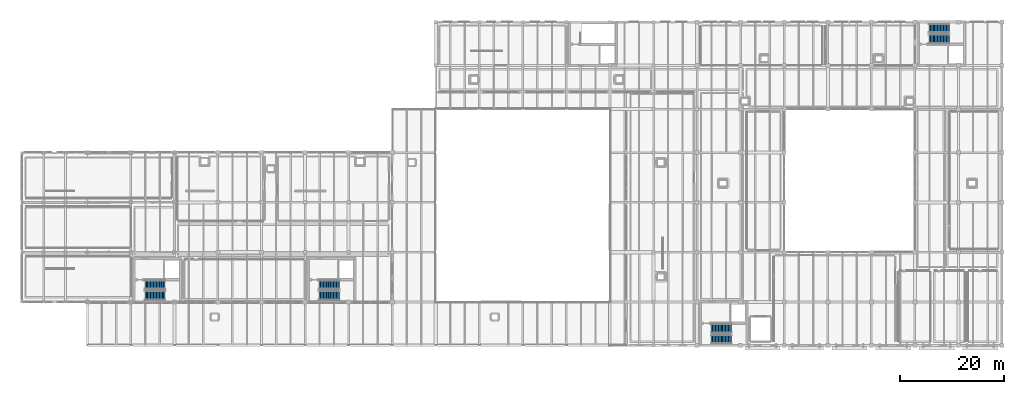
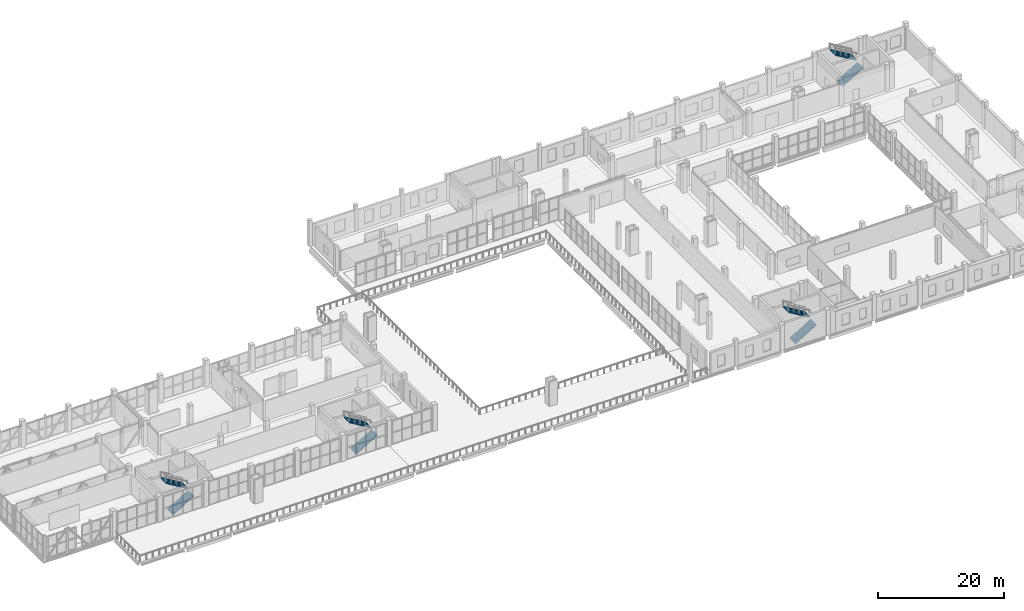
# One storey, part 66 of 77: 8 stair flights, 4 elements without a shape of their own.
"""IFC4 building model written with IfcOpenShell, lengths in metres."""

from ifc_helpers import new_model, si_unit, direction, frame, origin, place, context, subcontext, project, spatial, polyline, outline, extrude, material, type_object, element, aggregate, save


model = new_model("IFC4")

# Units and contexts
model_context = context("Model", 3, precision=1e-05, world=origin(), true_north=direction((0.0, 1.0)))
body_context = subcontext(model_context, "Body", "Model", "MODEL_VIEW")
ifc_project = project(units=[si_unit("LENGTHUNIT", "METRE"), si_unit("AREAUNIT", "SQUARE_METRE"), si_unit("VOLUMEUNIT", "CUBIC_METRE"), si_unit("PLANEANGLEUNIT", "RADIAN"), si_unit("MASSUNIT", "GRAM", prefix="KILO")], contexts=[model_context])

# Site, building, storey
site_placement = place(None, origin())
site = spatial("IfcSite", under=ifc_project, at=site_placement, CompositionType="ELEMENT")
building_placement = place(site_placement, origin())
building = spatial("IfcBuilding", under=site, at=building_placement, Name="Zulmaris Art Gallery", CompositionType="ELEMENT")
storey_placement = place(building_placement, frame((0.0, 0.0, 15.60009765625)))
storey = spatial("IfcBuildingStorey", under=building, at=storey_placement, Name="L03", CompositionType="ELEMENT", Elevation=15.60009765625)

# Stair, stair flights
ifc_material = material(Name="Concrete C40/50", Category="concrete")
stair_type = type_object("IfcStairType", Name="STAIR-CORE", PredefinedType="HALF_TURN_STAIR", material=ifc_material)
stair_1_placement = place(storey_placement, origin())
stair_1 = element("IfcStair", 1, at=stair_1_placement, inside=storey, type_object=stair_type, Name="L03 Exit Stair ST1", PredefinedType="HALF_TURN_STAIR")
stair_flight_type = type_object("IfcStairFlightType", Name="STFLT-CORE", PredefinedType="STRAIGHT", material=ifc_material)
stair_flight_1_placement = place(storey_placement, frame((35.10009765625, 22.824951171875, 0.0), z_axis=(0.0, 0.0, 1.0), x_axis=(1.0, 0.0, 0.0)))
stair_flight_1 = element("IfcStairFlight", 2, at=stair_flight_1_placement, type_object=stair_flight_type, Name="ST1 flight 1", NumberOfRisers=15, NumberOfTreads=14, PredefinedType="STRAIGHT", RiserHeight=0.17, TreadLength=0.28, context=body_context, shape_type="SweptSolid", body=[
    extrude(outline(polyline([(0.0, 0.0), (0.0, 0.169921875), (0.280029296875, 0.169921875), (0.280029296875, 0.340087890625), (0.56005859375, 0.340087890625), (0.56005859375, 0.510009765625), (0.840087890625, 0.510009765625), (0.840087890625, 0.679931640625), (1.1201171875, 0.679931640625), (1.1201171875, 0.85009765625), (1.39990234375, 0.85009765625), (1.39990234375, 1.02001953125), (1.679931640625, 1.02001953125), (1.679931640625, 1.18994140625), (1.9599609375, 1.18994140625), (1.9599609375, 1.360107421875), (2.239990234375, 1.360107421875), (2.239990234375, 1.530029296875), (2.52001953125, 1.530029296875), (2.52001953125, 1.699951171875), (2.800048828125, 1.699951171875), (2.800048828125, 1.8701171875), (3.080078125, 1.8701171875), (3.080078125, 2.0400390625), (3.360107421875, 2.0400390625), (3.360107421875, 2.2099609375), (3.639892578125, 2.2099609375), (3.639892578125, 2.3798828125), (3.919921875, 2.3798828125), (3.919921875, 2.550048828125), (3.919921875, 2.20458984375), (0.288818359375, 0.0), (0.0, 0.0)])), frame((0.0, 0.875, 0.0), z_axis=(0.0, -1.0, 0.0), x_axis=(1.0, 0.0, 0.0)), (0.0, 0.0, 1.0), 1.75),
])
stair_flight_2_placement = place(storey_placement, frame((39.02001953125, 24.9150390625, 2.5498046875), z_axis=(0.0, 0.0, 1.0), x_axis=(-1.0, 0.0, 0.0)))
stair_flight_2 = element("IfcStairFlight", 3, at=stair_flight_2_placement, type_object=stair_flight_type, Name="ST1 flight 2", NumberOfRisers=15, NumberOfTreads=14, PredefinedType="STRAIGHT", RiserHeight=0.17, TreadLength=0.28, context=body_context, shape_type="SweptSolid", body=[
    extrude(outline(polyline([(0.0, 0.0), (0.0, 0.169921875), (0.280029296875, 0.169921875), (0.280029296875, 0.340087890625), (0.56005859375, 0.340087890625), (0.56005859375, 0.510009765625), (0.840087890625, 0.510009765625), (0.840087890625, 0.679931640625), (1.1201171875, 0.679931640625), (1.1201171875, 0.85009765625), (1.39990234375, 0.85009765625), (1.39990234375, 1.02001953125), (1.679931640625, 1.02001953125), (1.679931640625, 1.18994140625), (1.9599609375, 1.18994140625), (1.9599609375, 1.360107421875), (2.239990234375, 1.360107421875), (2.239990234375, 1.530029296875), (2.52001953125, 1.530029296875), (2.52001953125, 1.699951171875), (2.800048828125, 1.699951171875), (2.800048828125, 1.8701171875), (3.080078125, 1.8701171875), (3.080078125, 2.0400390625), (3.360107421875, 2.0400390625), (3.360107421875, 2.2099609375), (3.639892578125, 2.2099609375), (3.639892578125, 2.3798828125), (3.919921875, 2.3798828125), (3.919921875, 2.550048828125), (3.919921875, 2.20458984375), (0.288818359375, 0.0), (0.0, 0.0)])), frame((0.0, 0.875, 0.0), z_axis=(0.0, -1.0, 0.0), x_axis=(1.0, 0.0, 0.0)), (0.0, 0.0, 1.0), 1.75),
])
aggregate(stair_1, [stair_flight_1, stair_flight_2])

stair_2_placement = place(storey_placement, origin())
stair_2 = element("IfcStair", 4, at=stair_2_placement, inside=storey, type_object=stair_type, Name="L03 Exit Stair ST2", PredefinedType="HALF_TURN_STAIR")
stair_flight_3_placement = place(storey_placement, frame((68.699951171875, 22.824951171875, 0.0), z_axis=(0.0, 0.0, 1.0), x_axis=(1.0, 0.0, 0.0)))
stair_flight_3 = element("IfcStairFlight", 5, at=stair_flight_3_placement, type_object=stair_flight_type, Name="ST2 flight 1", NumberOfRisers=15, NumberOfTreads=14, PredefinedType="STRAIGHT", RiserHeight=0.17, TreadLength=0.28, context=body_context, shape_type="SweptSolid", body=[
    extrude(outline(polyline([(0.0, 0.0), (0.0, 0.169921875), (0.280029296875, 0.169921875), (0.280029296875, 0.340087890625), (0.56005859375, 0.340087890625), (0.56005859375, 0.510009765625), (0.840087890625, 0.510009765625), (0.840087890625, 0.679931640625), (1.1201171875, 0.679931640625), (1.1201171875, 0.85009765625), (1.39990234375, 0.85009765625), (1.39990234375, 1.02001953125), (1.679931640625, 1.02001953125), (1.679931640625, 1.18994140625), (1.9599609375, 1.18994140625), (1.9599609375, 1.360107421875), (2.239990234375, 1.360107421875), (2.239990234375, 1.530029296875), (2.52001953125, 1.530029296875), (2.52001953125, 1.699951171875), (2.800048828125, 1.699951171875), (2.800048828125, 1.8701171875), (3.080078125, 1.8701171875), (3.080078125, 2.0400390625), (3.360107421875, 2.0400390625), (3.360107421875, 2.2099609375), (3.639892578125, 2.2099609375), (3.639892578125, 2.3798828125), (3.919921875, 2.3798828125), (3.919921875, 2.550048828125), (3.919921875, 2.20458984375), (0.288818359375, 0.0), (0.0, 0.0)])), frame((0.0, 0.875, 0.0), z_axis=(0.0, -1.0, 0.0), x_axis=(1.0, 0.0, 0.0)), (0.0, 0.0, 1.0), 1.75),
])
stair_flight_4_placement = place(storey_placement, frame((72.6201171875, 24.9150390625, 2.5498046875), z_axis=(0.0, 0.0, 1.0), x_axis=(-1.0, 0.0, 0.0)))
stair_flight_4 = element("IfcStairFlight", 6, at=stair_flight_4_placement, type_object=stair_flight_type, Name="ST2 flight 2", NumberOfRisers=15, NumberOfTreads=14, PredefinedType="STRAIGHT", RiserHeight=0.17, TreadLength=0.28, context=body_context, shape_type="SweptSolid", body=[
    extrude(outline(polyline([(0.0, 0.0), (0.0, 0.169921875), (0.280029296875, 0.169921875), (0.280029296875, 0.340087890625), (0.56005859375, 0.340087890625), (0.56005859375, 0.510009765625), (0.840087890625, 0.510009765625), (0.840087890625, 0.679931640625), (1.1201171875, 0.679931640625), (1.1201171875, 0.85009765625), (1.39990234375, 0.85009765625), (1.39990234375, 1.02001953125), (1.679931640625, 1.02001953125), (1.679931640625, 1.18994140625), (1.9599609375, 1.18994140625), (1.9599609375, 1.360107421875), (2.239990234375, 1.360107421875), (2.239990234375, 1.530029296875), (2.52001953125, 1.530029296875), (2.52001953125, 1.699951171875), (2.800048828125, 1.699951171875), (2.800048828125, 1.8701171875), (3.080078125, 1.8701171875), (3.080078125, 2.0400390625), (3.360107421875, 2.0400390625), (3.360107421875, 2.2099609375), (3.639892578125, 2.2099609375), (3.639892578125, 2.3798828125), (3.919921875, 2.3798828125), (3.919921875, 2.550048828125), (3.919921875, 2.20458984375), (0.288818359375, 0.0), (0.0, 0.0)])), frame((0.0, 0.875, 0.0), z_axis=(0.0, -1.0, 0.0), x_axis=(1.0, 0.0, 0.0)), (0.0, 0.0, 1.0), 1.75),
])
aggregate(stair_2, [stair_flight_3, stair_flight_4])

stair_3_placement = place(storey_placement, origin())
stair_3 = element("IfcStair", 7, at=stair_3_placement, inside=storey, type_object=stair_type, Name="L03 Exit Stair ST3", PredefinedType="HALF_TURN_STAIR")
stair_flight_5_placement = place(storey_placement, frame((144.300048828125, 14.425048828125, 0.0), z_axis=(0.0, 0.0, 1.0), x_axis=(1.0, 0.0, 0.0)))
stair_flight_5 = element("IfcStairFlight", 8, at=stair_flight_5_placement, type_object=stair_flight_type, Name="ST3 flight 1", NumberOfRisers=15, NumberOfTreads=14, PredefinedType="STRAIGHT", RiserHeight=0.17, TreadLength=0.28, context=body_context, shape_type="SweptSolid", body=[
    extrude(outline(polyline([(0.0, 0.0), (0.0, 0.169921875), (0.280029296875, 0.169921875), (0.280029296875, 0.340087890625), (0.56005859375, 0.340087890625), (0.56005859375, 0.510009765625), (0.840087890625, 0.510009765625), (0.840087890625, 0.679931640625), (1.1201171875, 0.679931640625), (1.1201171875, 0.85009765625), (1.39990234375, 0.85009765625), (1.39990234375, 1.02001953125), (1.679931640625, 1.02001953125), (1.679931640625, 1.18994140625), (1.9599609375, 1.18994140625), (1.9599609375, 1.360107421875), (2.239990234375, 1.360107421875), (2.239990234375, 1.530029296875), (2.52001953125, 1.530029296875), (2.52001953125, 1.699951171875), (2.800048828125, 1.699951171875), (2.800048828125, 1.8701171875), (3.080078125, 1.8701171875), (3.080078125, 2.0400390625), (3.360107421875, 2.0400390625), (3.360107421875, 2.2099609375), (3.639892578125, 2.2099609375), (3.639892578125, 2.3798828125), (3.919921875, 2.3798828125), (3.919921875, 2.550048828125), (3.919921875, 2.20458984375), (0.288818359375, 0.0), (0.0, 0.0)])), frame((0.0, 0.875, 0.0), z_axis=(0.0, -1.0, 0.0), x_axis=(1.0, 0.0, 0.0)), (0.0, 0.0, 1.0), 1.75),
])
stair_flight_6_placement = place(storey_placement, frame((148.219970703125, 16.514892578125, 2.5498046875), z_axis=(0.0, 0.0, 1.0), x_axis=(-1.0, 0.0, 0.0)))
stair_flight_6 = element("IfcStairFlight", 9, at=stair_flight_6_placement, type_object=stair_flight_type, Name="ST3 flight 2", NumberOfRisers=15, NumberOfTreads=14, PredefinedType="STRAIGHT", RiserHeight=0.17, TreadLength=0.28, context=body_context, shape_type="SweptSolid", body=[
    extrude(outline(polyline([(0.0, 0.0), (0.0, 0.169921875), (0.280029296875, 0.169921875), (0.280029296875, 0.340087890625), (0.56005859375, 0.340087890625), (0.56005859375, 0.510009765625), (0.840087890625, 0.510009765625), (0.840087890625, 0.679931640625), (1.1201171875, 0.679931640625), (1.1201171875, 0.85009765625), (1.39990234375, 0.85009765625), (1.39990234375, 1.02001953125), (1.679931640625, 1.02001953125), (1.679931640625, 1.18994140625), (1.9599609375, 1.18994140625), (1.9599609375, 1.360107421875), (2.239990234375, 1.360107421875), (2.239990234375, 1.530029296875), (2.52001953125, 1.530029296875), (2.52001953125, 1.699951171875), (2.800048828125, 1.699951171875), (2.800048828125, 1.8701171875), (3.080078125, 1.8701171875), (3.080078125, 2.0400390625), (3.360107421875, 2.0400390625), (3.360107421875, 2.2099609375), (3.639892578125, 2.2099609375), (3.639892578125, 2.3798828125), (3.919921875, 2.3798828125), (3.919921875, 2.550048828125), (3.919921875, 2.20458984375), (0.288818359375, 0.0), (0.0, 0.0)])), frame((0.0, 0.875, 0.0), z_axis=(0.0, -1.0, 0.0), x_axis=(1.0, 0.0, 0.0)), (0.0, 0.0, 1.0), 1.75),
])
aggregate(stair_3, [stair_flight_5, stair_flight_6])

stair_4_placement = place(storey_placement, origin())
stair_4 = element("IfcStair", 10, at=stair_4_placement, inside=storey, type_object=stair_type, Name="L03 Exit Stair ST4", PredefinedType="HALF_TURN_STAIR")
stair_flight_7_placement = place(storey_placement, frame((186.300048828125, 72.284912109375, 0.0), z_axis=(0.0, 0.0, 1.0), x_axis=(1.0, 0.0, 0.0)))
stair_flight_7 = element("IfcStairFlight", 11, at=stair_flight_7_placement, type_object=stair_flight_type, Name="ST4 flight 1", NumberOfRisers=15, NumberOfTreads=14, PredefinedType="STRAIGHT", RiserHeight=0.17, TreadLength=0.28, context=body_context, shape_type="SweptSolid", body=[
    extrude(outline(polyline([(0.0, 0.0), (0.0, 0.169921875), (0.280029296875, 0.169921875), (0.280029296875, 0.340087890625), (0.56005859375, 0.340087890625), (0.56005859375, 0.510009765625), (0.840087890625, 0.510009765625), (0.840087890625, 0.679931640625), (1.1201171875, 0.679931640625), (1.1201171875, 0.85009765625), (1.39990234375, 0.85009765625), (1.39990234375, 1.02001953125), (1.679931640625, 1.02001953125), (1.679931640625, 1.18994140625), (1.9599609375, 1.18994140625), (1.9599609375, 1.360107421875), (2.239990234375, 1.360107421875), (2.239990234375, 1.530029296875), (2.52001953125, 1.530029296875), (2.52001953125, 1.699951171875), (2.800048828125, 1.699951171875), (2.800048828125, 1.8701171875), (3.080078125, 1.8701171875), (3.080078125, 2.0400390625), (3.360107421875, 2.0400390625), (3.360107421875, 2.2099609375), (3.639892578125, 2.2099609375), (3.639892578125, 2.3798828125), (3.919921875, 2.3798828125), (3.919921875, 2.550048828125), (3.919921875, 2.20458984375), (0.288818359375, 0.0), (0.0, 0.0)])), frame((0.0, 0.875, 0.0), z_axis=(0.0, -1.0, 0.0), x_axis=(1.0, 0.0, 0.0)), (0.0, 0.0, 1.0), 1.75),
])
stair_flight_8_placement = place(storey_placement, frame((190.219970703125, 74.375, 2.5498046875), z_axis=(0.0, 0.0, 1.0), x_axis=(-1.0, 0.0, 0.0)))
stair_flight_8 = element("IfcStairFlight", 12, at=stair_flight_8_placement, type_object=stair_flight_type, Name="ST4 flight 2", NumberOfRisers=15, NumberOfTreads=14, PredefinedType="STRAIGHT", RiserHeight=0.17, TreadLength=0.28, context=body_context, shape_type="SweptSolid", body=[
    extrude(outline(polyline([(0.0, 0.0), (0.0, 0.169921875), (0.280029296875, 0.169921875), (0.280029296875, 0.340087890625), (0.56005859375, 0.340087890625), (0.56005859375, 0.510009765625), (0.840087890625, 0.510009765625), (0.840087890625, 0.679931640625), (1.1201171875, 0.679931640625), (1.1201171875, 0.85009765625), (1.39990234375, 0.85009765625), (1.39990234375, 1.02001953125), (1.679931640625, 1.02001953125), (1.679931640625, 1.18994140625), (1.9599609375, 1.18994140625), (1.9599609375, 1.360107421875), (2.239990234375, 1.360107421875), (2.239990234375, 1.530029296875), (2.52001953125, 1.530029296875), (2.52001953125, 1.699951171875), (2.800048828125, 1.699951171875), (2.800048828125, 1.8701171875), (3.080078125, 1.8701171875), (3.080078125, 2.0400390625), (3.360107421875, 2.0400390625), (3.360107421875, 2.2099609375), (3.639892578125, 2.2099609375), (3.639892578125, 2.3798828125), (3.919921875, 2.3798828125), (3.919921875, 2.550048828125), (3.919921875, 2.20458984375), (0.288818359375, 0.0), (0.0, 0.0)])), frame((0.0, 0.875, 0.0), z_axis=(0.0, -1.0, 0.0), x_axis=(1.0, 0.0, 0.0)), (0.0, 0.0, 1.0), 1.75),
])
aggregate(stair_4, [stair_flight_7, stair_flight_8])

save(model, "model.ifc")
